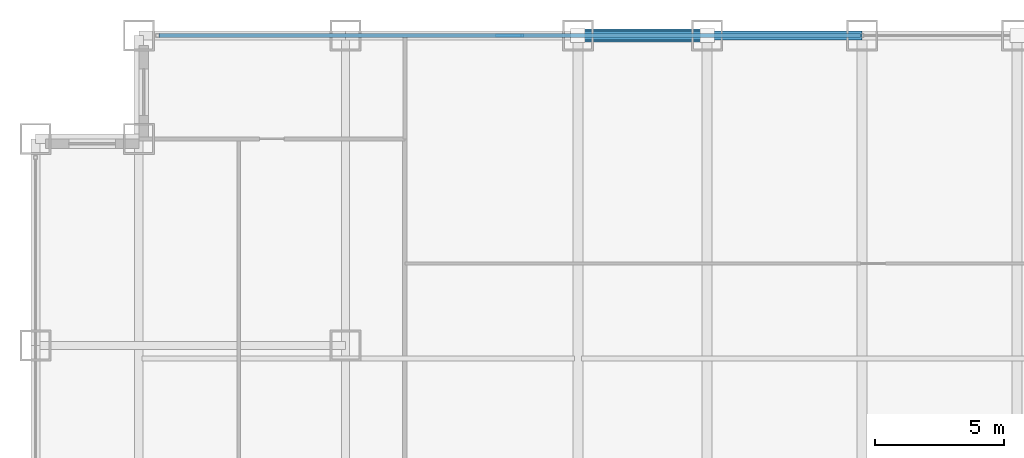
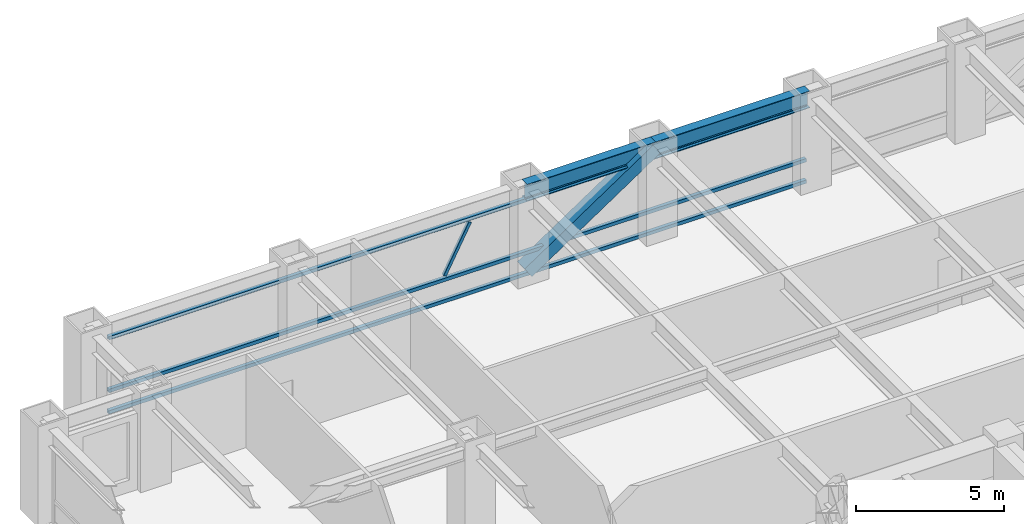
# One storey, part 18 of 27: 5 members, 2 beams, 1 element without a shape of its own.
"""IFC4 building model written with IfcOpenShell, lengths in metres."""

from ifc_helpers import new_model, si_unit, direction, frame, origin, origin_2d, place, context, subcontext, project, spatial, hollow_rectangle, i_section, extrude, source, transform, mapped, material, material_profile, profile_set, type_object, element, aggregate, save


model = new_model("IFC4")

# Units and contexts
model_context = context("Model", 3, precision=1e-05, world=origin(), true_north=direction((0.0, 1.0)))
body_context = subcontext(model_context, "Body", "Model", "MODEL_VIEW")
ifc_project = project(units=[si_unit("LENGTHUNIT", "METRE"), si_unit("AREAUNIT", "SQUARE_METRE"), si_unit("VOLUMEUNIT", "CUBIC_METRE"), si_unit("PLANEANGLEUNIT", "RADIAN"), si_unit("MASSUNIT", "GRAM", prefix="KILO")], contexts=[model_context])

# Site, building, storey
site_placement = place(None, origin())
site = spatial("IfcSite", under=ifc_project, at=site_placement, CompositionType="ELEMENT")
building_placement = place(site_placement, origin())
building = spatial("IfcBuilding", under=site, at=building_placement, Name="Khorayat Bourse Tower", CompositionType="ELEMENT")
storey_placement = place(building_placement, frame((0.0, 0.0, 111.89990234375)))
storey = spatial("IfcBuildingStorey", under=building, at=storey_placement, Name="L25", CompositionType="ELEMENT", Elevation=111.89990234375)

# Beams
ifc_material_1 = material(Name="Steel ASTM A992 Grade 50", Category="steel")
ifc_material_profile_1 = material_profile(ifc_material_1, i_section(OverallWidth=0.35498046875, OverallDepth=0.695068359375, WebThickness=0.015380859375, FlangeThickness=0.02490234375, FilletRadius=0.01806640625, at=origin_2d()), Name="W690X217")
ifc_profile_set_1 = profile_set([ifc_material_profile_1], Name="Steel ASTM A992 Grade 50")
beam_type = type_object("IfcBeamType", Name="BM-SPAN-690", PredefinedType="SPANDREL", material=ifc_profile_set_1)
shared_shape_1 = source(origin(), body_context, "Body", "SweptSolid", [
    extrude(i_section(OverallWidth=0.35498046875, OverallDepth=0.695068359375, WebThickness=0.015380859375, FlangeThickness=0.02490234375, FilletRadius=0.01806640625, at=origin_2d()), origin(), (0.0, 0.0, 1.0), 5.0),
])
beam_1_placement = place(storey_placement, frame((-11.0, 32.0, 3.49267578125), z_axis=(1.0, 0.0, 0.0), x_axis=(0.0, 1.0, 0.0)))
element("IfcBeam", 1, at=beam_1_placement, inside=storey, type_object=beam_type, Name="L25 BM-SPAN-690 BM-L25-SPN-049", PredefinedType="SPANDREL", context=body_context, shape_type="MappedRepresentation", body=[
    mapped(shared_shape_1, transform((0.0, 0.0, 0.0), scale=1.0)),
])
shared_shape_2 = source(origin(), body_context, "Body", "SweptSolid", [
    extrude(i_section(OverallWidth=0.35498046875, OverallDepth=0.695068359375, WebThickness=0.015380859375, FlangeThickness=0.02490234375, FilletRadius=0.01806640625, at=origin_2d()), origin(), (0.0, 0.0, 1.0), 6.0),
])
beam_2_placement = place(storey_placement, frame((-6.0, 32.0, 3.49267578125), z_axis=(1.0, 0.0, 0.0), x_axis=(0.0, 1.0, 0.0)))
element("IfcBeam", 2, at=beam_2_placement, inside=storey, type_object=beam_type, Name="L25 BM-SPAN-690 BM-L25-SPN-048", PredefinedType="SPANDREL", context=body_context, shape_type="MappedRepresentation", body=[
    mapped(shared_shape_2, transform((0.0, 0.0, 0.0), scale=1.0)),
])

# Member
ifc_material_2 = material(Name="Steel EN 10025-4 S460M", Category="steel")
ifc_material_profile_2 = material_profile(ifc_material_2, hollow_rectangle(XDim=0.5, YDim=0.5, WallThickness=0.028076171875, at=origin_2d()), Name="HSS 500x500x28")
ifc_profile_set_2 = profile_set([ifc_material_profile_2], Name="Steel EN 10025-4 S460M")
member_type_1 = type_object("IfcMemberType", Name="MBR-TUBE-500", PredefinedType="BRACE", material=ifc_profile_set_2)
shared_shape_3 = source(origin(), body_context, "Body", "SweptSolid", [
    extrude(hollow_rectangle(XDim=0.5, YDim=0.5, WallThickness=0.028076171875, at=origin_2d()), origin(), (0.0, 0.0, 1.0), 6.012939453125),
])
member_1_placement = place(storey_placement, frame((-11.0, 32.0, 0.25), z_axis=(0.831531473026, 0.0, 0.555477640745), x_axis=(0.0, 1.0, 0.0)))
element("IfcMember", 3, at=member_1_placement, inside=storey, type_object=member_type_1, Name="L25 Perimeter Tube Brace 03", PredefinedType="BRACE", context=body_context, shape_type="MappedRepresentation", body=[
    mapped(shared_shape_3, transform((0.0, 0.0, 0.0), scale=1.0)),
])

# Curtain wall, members
ifc_material_3 = material(Name="Aluminium EN AW-6063 T6", Category="aluminium")
curtain_wall_type = type_object("IfcCurtainWallType", Name="CW-SYS-02", PredefinedType="NOTDEFINED", material=ifc_material_3)
curtain_wall_placement = place(storey_placement, origin())
curtain_wall = element("IfcCurtainWall", 4, at=curtain_wall_placement, inside=storey, type_object=curtain_wall_type, Name="L25 Curtain Wall CW-L25-N1", PredefinedType="NOTDEFINED")
ifc_material_profile_3 = material_profile(ifc_material_3, hollow_rectangle(XDim=0.139892578125, YDim=0.139892578125, WallThickness=0.006103515625, at=origin_2d()), Name="ALU 140x140x6")
ifc_profile_set_3 = profile_set([ifc_material_profile_3], Name="Aluminium EN AW-6063 T6")
member_type_2 = type_object("IfcMemberType", Name="CWT-HORZ-140", PredefinedType="USERDEFINED", material=ifc_profile_set_3)
shared_shape_4 = source(origin(), body_context, "Body", "SweptSolid", [
    extrude(hollow_rectangle(XDim=0.139892578125, YDim=0.139892578125, WallThickness=0.006103515625, at=origin_2d()), origin(), (0.0, 0.0, 1.0), 27.139892578125),
])
member_2_placement = place(storey_placement, frame((-27.2099609375, 32.0, 0.070068359375), z_axis=(1.0, 0.0, 0.0), x_axis=(0.0, 1.0, 0.0)))
member_2 = element("IfcMember", 5, at=member_2_placement, type_object=member_type_2, Name="CW-L25-N1 Horizontal Transom 1-1", ObjectType="TRANSOM", PredefinedType="USERDEFINED", context=body_context, shape_type="MappedRepresentation", body=[
    mapped(shared_shape_4, transform((0.0, 0.0, 0.0), scale=1.0)),
])
member_3_placement = place(storey_placement, frame((-27.2099609375, 32.0, 0.9501953125), z_axis=(1.0, 0.0, 0.0), x_axis=(0.0, 1.0, 0.0)))
member_3 = element("IfcMember", 6, at=member_3_placement, type_object=member_type_2, Name="CW-L25-N1 Horizontal Transom 1-2", ObjectType="TRANSOM", PredefinedType="USERDEFINED", context=body_context, shape_type="MappedRepresentation", body=[
    mapped(shared_shape_4, transform((0.0, 0.0, 0.0), scale=1.0)),
])
member_4_placement = place(storey_placement, frame((-27.2099609375, 32.0, 3.1201171875), z_axis=(1.0, 0.0, 0.0), x_axis=(0.0, 1.0, 0.0)))
member_4 = element("IfcMember", 7, at=member_4_placement, type_object=member_type_2, Name="CW-L25-N1 Horizontal Transom 1-3", ObjectType="TRANSOM", PredefinedType="USERDEFINED", context=body_context, shape_type="MappedRepresentation", body=[
    mapped(shared_shape_4, transform((0.0, 0.0, 0.0), scale=1.0)),
])
ifc_material_profile_4 = material_profile(ifc_material_3, hollow_rectangle(XDim=0.1201171875, YDim=0.1201171875, WallThickness=0.0048828125, at=origin_2d()), Name="ALU 120x120x5")
ifc_profile_set_4 = profile_set([ifc_material_profile_4], Name="Aluminium EN AW-6063 T6")
member_type_3 = type_object("IfcMemberType", Name="CWM-DIAG-120", PredefinedType="MULLION", material=ifc_profile_set_4)
shared_shape_5 = source(origin(), body_context, "Body", "SweptSolid", [
    extrude(hollow_rectangle(XDim=0.1201171875, YDim=0.1201171875, WallThickness=0.0048828125, at=origin_2d()), origin(), (0.0, 0.0, 1.0), 2.11328125),
])
member_5_placement = place(storey_placement, frame((-14.132080078125, 32.0, 1.10009765625), z_axis=(0.465694055905, 0.0, 0.884945787207), x_axis=(0.0, 1.0, 0.0)))
member_5 = element("IfcMember", 8, at=member_5_placement, type_object=member_type_3, Name="CW-L25-N1 Faceted Diagonal Mullion 1", PredefinedType="MULLION", context=body_context, shape_type="MappedRepresentation", body=[
    mapped(shared_shape_5, transform((0.0, 0.0, 0.0), scale=1.0)),
])
aggregate(curtain_wall, [member_2, member_3, member_4, member_5])

save(model, "model.ifc")
